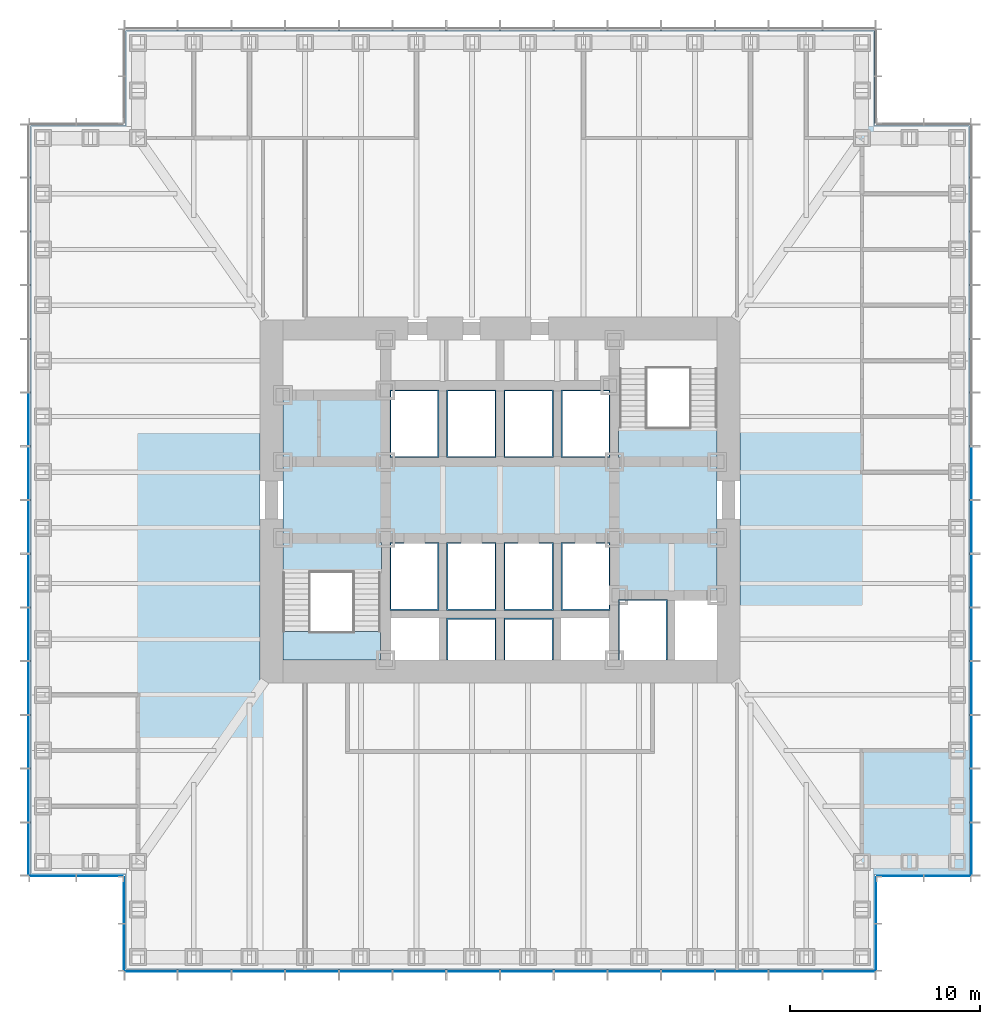
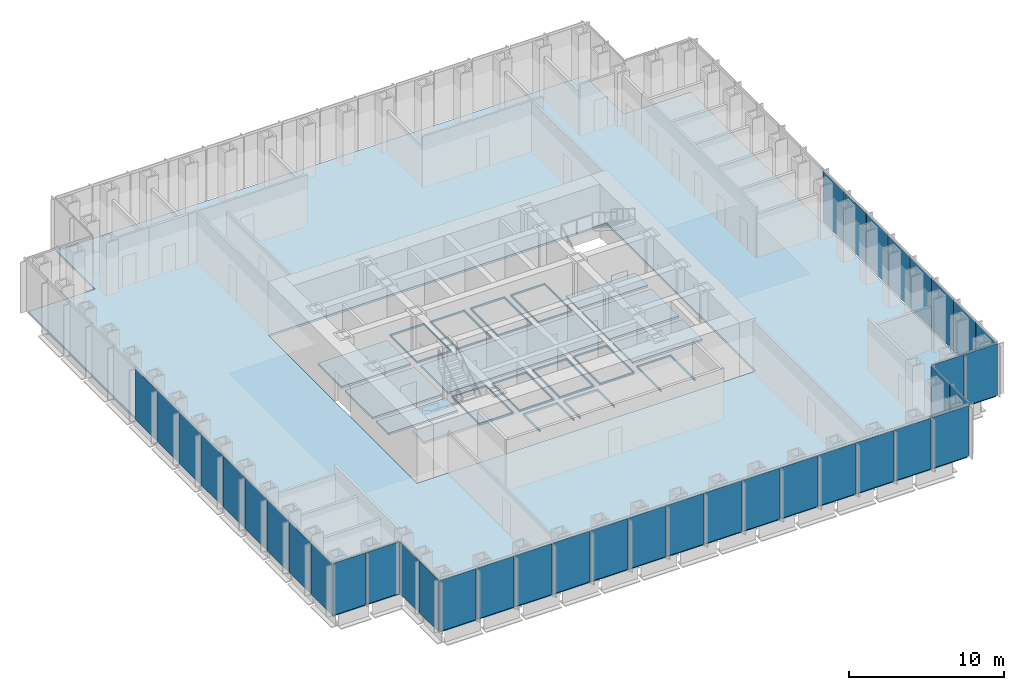
# One storey, part 7 of 17: 39 plates, 20 slabs, 8 elements without a shape of their own.
"""IFC4 building model written with IfcOpenShell, lengths in metres."""

from ifc_helpers import new_model, si_unit, direction, frame, origin, origin_2d, place, context, subcontext, project, spatial, polyline, rectangle, outline, extrude, material, layer, layer_set, type_object, element, aggregate, save


model = new_model("IFC4")

# Units and contexts
model_context = context("Model", 3, precision=1e-05, world=origin(), true_north=direction((0.0, 1.0)))
body_context = subcontext(model_context, "Body", "Model", "MODEL_VIEW")
ifc_project = project(units=[si_unit("LENGTHUNIT", "METRE"), si_unit("AREAUNIT", "SQUARE_METRE"), si_unit("VOLUMEUNIT", "CUBIC_METRE"), si_unit("PLANEANGLEUNIT", "RADIAN"), si_unit("MASSUNIT", "GRAM", prefix="KILO")], contexts=[model_context])

# Site, building, storey
site_placement = place(None, origin())
site = spatial("IfcSite", under=ifc_project, at=site_placement, CompositionType="ELEMENT")
building_placement = place(site_placement, origin())
building = spatial("IfcBuilding", under=site, at=building_placement, Name="Daluyong Arena Tower", CompositionType="ELEMENT")
storey_placement = place(building_placement, frame((0.0, 0.0, 55.89990234375)))
storey = spatial("IfcBuildingStorey", under=building, at=storey_placement, Name="L11", CompositionType="ELEMENT", Elevation=55.89990234375)

# Curtain wall, plates
ifc_material_1 = material(Name="Bronze anodised aluminium and glass", Category="aluminium")
curtain_wall_type_1 = type_object("IfcCurtainWallType", Name="Curtain wall CW1", PredefinedType="USERDEFINED", material=ifc_material_1)
curtain_wall_1_placement = place(storey_placement, origin())
curtain_wall_1 = element("IfcCurtainWall", 1, at=curtain_wall_1_placement, inside=storey, type_object=curtain_wall_type_1, Name="curtain wall L11 S", ObjectType="UNITISED CURTAIN WALL", PredefinedType="USERDEFINED")
ifc_material_2 = material(Name="Tinted double glazed unit", Category="glass")
ifc_layer_1 = layer(ifc_material_2, 0.031982421875)
ifc_layer_set_1 = layer_set([ifc_layer_1], Name="Tinted double glazed unit")
plate_type_1 = type_object("IfcPlateType", Name="CW1 panel 32", PredefinedType="CURTAIN_PANEL", material=ifc_layer_set_1)
plate_1_placement = place(storey_placement, frame((37.6806640625, 55.25, 0.0), z_axis=(0.0, 0.0, 1.0), x_axis=(1.0, 0.0, 0.0)))
plate_1 = element("IfcPlate", 2, at=plate_1_placement, type_object=plate_type_1, Name="curtain wall L11 S panel 1", PredefinedType="CURTAIN_PANEL", context=body_context, shape_type="SweptSolid", body=[
    extrude(rectangle(XDim=2.701416015625, YDim=0.031982421875, at=origin_2d()), origin(), (0.0, 0.0, 1.0), 4.0),
])
plate_2_placement = place(storey_placement, frame((40.482177734375, 55.25, 0.0), z_axis=(0.0, 0.0, 1.0), x_axis=(1.0, 0.0, 0.0)))
plate_2 = element("IfcPlate", 3, at=plate_2_placement, type_object=plate_type_1, Name="curtain wall L11 S panel 2", PredefinedType="CURTAIN_PANEL", context=body_context, shape_type="SweptSolid", body=[
    extrude(rectangle(XDim=2.741455078125, YDim=0.031982421875, at=origin_2d()), origin(), (0.0, 0.0, 1.0), 4.0),
])
plate_3_placement = place(storey_placement, frame((43.303466796875, 55.25, 0.0), z_axis=(0.0, 0.0, 1.0), x_axis=(1.0, 0.0, 0.0)))
plate_3 = element("IfcPlate", 4, at=plate_3_placement, type_object=plate_type_1, Name="curtain wall L11 S panel 3", PredefinedType="CURTAIN_PANEL", context=body_context, shape_type="SweptSolid", body=[
    extrude(rectangle(XDim=2.741455078125, YDim=0.031982421875, at=origin_2d()), origin(), (0.0, 0.0, 1.0), 4.0),
])
plate_4_placement = place(storey_placement, frame((46.125, 55.25, 0.0), z_axis=(0.0, 0.0, 1.0), x_axis=(1.0, 0.0, 0.0)))
plate_4 = element("IfcPlate", 5, at=plate_4_placement, type_object=plate_type_1, Name="curtain wall L11 S panel 4", PredefinedType="CURTAIN_PANEL", context=body_context, shape_type="SweptSolid", body=[
    extrude(rectangle(XDim=2.741455078125, YDim=0.031982421875, at=origin_2d()), origin(), (0.0, 0.0, 1.0), 4.0),
])
plate_5_placement = place(storey_placement, frame((48.946533203125, 55.25, 0.0), z_axis=(0.0, 0.0, 1.0), x_axis=(1.0, 0.0, 0.0)))
plate_5 = element("IfcPlate", 6, at=plate_5_placement, type_object=plate_type_1, Name="curtain wall L11 S panel 5", PredefinedType="CURTAIN_PANEL", context=body_context, shape_type="SweptSolid", body=[
    extrude(rectangle(XDim=2.741455078125, YDim=0.031982421875, at=origin_2d()), origin(), (0.0, 0.0, 1.0), 4.0),
])
plate_6_placement = place(storey_placement, frame((51.767822265625, 55.25, 0.0), z_axis=(0.0, 0.0, 1.0), x_axis=(1.0, 0.0, 0.0)))
plate_6 = element("IfcPlate", 7, at=plate_6_placement, type_object=plate_type_1, Name="curtain wall L11 S panel 6", PredefinedType="CURTAIN_PANEL", context=body_context, shape_type="SweptSolid", body=[
    extrude(rectangle(XDim=2.741455078125, YDim=0.031982421875, at=origin_2d()), origin(), (0.0, 0.0, 1.0), 4.0),
])
plate_7_placement = place(storey_placement, frame((54.58935546875, 55.25, 0.0), z_axis=(0.0, 0.0, 1.0), x_axis=(1.0, 0.0, 0.0)))
plate_7 = element("IfcPlate", 8, at=plate_7_placement, type_object=plate_type_1, Name="curtain wall L11 S panel 7", PredefinedType="CURTAIN_PANEL", context=body_context, shape_type="SweptSolid", body=[
    extrude(rectangle(XDim=2.741455078125, YDim=0.031982421875, at=origin_2d()), origin(), (0.0, 0.0, 1.0), 4.0),
])
plate_8_placement = place(storey_placement, frame((57.41064453125, 55.25, 0.0), z_axis=(0.0, 0.0, 1.0), x_axis=(1.0, 0.0, 0.0)))
plate_8 = element("IfcPlate", 9, at=plate_8_placement, type_object=plate_type_1, Name="curtain wall L11 S panel 8", PredefinedType="CURTAIN_PANEL", context=body_context, shape_type="SweptSolid", body=[
    extrude(rectangle(XDim=2.741455078125, YDim=0.031982421875, at=origin_2d()), origin(), (0.0, 0.0, 1.0), 4.0),
])
plate_9_placement = place(storey_placement, frame((60.232177734375, 55.25, 0.0), z_axis=(0.0, 0.0, 1.0), x_axis=(1.0, 0.0, 0.0)))
plate_9 = element("IfcPlate", 10, at=plate_9_placement, type_object=plate_type_1, Name="curtain wall L11 S panel 9", PredefinedType="CURTAIN_PANEL", context=body_context, shape_type="SweptSolid", body=[
    extrude(rectangle(XDim=2.741455078125, YDim=0.031982421875, at=origin_2d()), origin(), (0.0, 0.0, 1.0), 4.0),
])
plate_10_placement = place(storey_placement, frame((63.053466796875, 55.25, 0.0), z_axis=(0.0, 0.0, 1.0), x_axis=(1.0, 0.0, 0.0)))
plate_10 = element("IfcPlate", 11, at=plate_10_placement, type_object=plate_type_1, Name="curtain wall L11 S panel 10", PredefinedType="CURTAIN_PANEL", context=body_context, shape_type="SweptSolid", body=[
    extrude(rectangle(XDim=2.741455078125, YDim=0.031982421875, at=origin_2d()), origin(), (0.0, 0.0, 1.0), 4.0),
])
plate_11_placement = place(storey_placement, frame((65.875, 55.25, 0.0), z_axis=(0.0, 0.0, 1.0), x_axis=(1.0, 0.0, 0.0)))
plate_11 = element("IfcPlate", 12, at=plate_11_placement, type_object=plate_type_1, Name="curtain wall L11 S panel 11", PredefinedType="CURTAIN_PANEL", context=body_context, shape_type="SweptSolid", body=[
    extrude(rectangle(XDim=2.741455078125, YDim=0.031982421875, at=origin_2d()), origin(), (0.0, 0.0, 1.0), 4.0),
])
plate_12_placement = place(storey_placement, frame((68.696533203125, 55.25, 0.0), z_axis=(0.0, 0.0, 1.0), x_axis=(1.0, 0.0, 0.0)))
plate_12 = element("IfcPlate", 13, at=plate_12_placement, type_object=plate_type_1, Name="curtain wall L11 S panel 12", PredefinedType="CURTAIN_PANEL", context=body_context, shape_type="SweptSolid", body=[
    extrude(rectangle(XDim=2.741455078125, YDim=0.031982421875, at=origin_2d()), origin(), (0.0, 0.0, 1.0), 4.0),
])
plate_13_placement = place(storey_placement, frame((71.517822265625, 55.25, 0.0), z_axis=(0.0, 0.0, 1.0), x_axis=(1.0, 0.0, 0.0)))
plate_13 = element("IfcPlate", 14, at=plate_13_placement, type_object=plate_type_1, Name="curtain wall L11 S panel 13", PredefinedType="CURTAIN_PANEL", context=body_context, shape_type="SweptSolid", body=[
    extrude(rectangle(XDim=2.741455078125, YDim=0.031982421875, at=origin_2d()), origin(), (0.0, 0.0, 1.0), 4.0),
])
plate_14_placement = place(storey_placement, frame((74.3193359375, 55.25, 0.0), z_axis=(0.0, 0.0, 1.0), x_axis=(1.0, 0.0, 0.0)))
plate_14 = element("IfcPlate", 15, at=plate_14_placement, type_object=plate_type_1, Name="curtain wall L11 S panel 14", PredefinedType="CURTAIN_PANEL", context=body_context, shape_type="SweptSolid", body=[
    extrude(rectangle(XDim=2.701416015625, YDim=0.031982421875, at=origin_2d()), origin(), (0.0, 0.0, 1.0), 4.0),
])
aggregate(curtain_wall_1, [plate_1, plate_2, plate_3, plate_4, plate_5, plate_6, plate_7, plate_8, plate_9, plate_10, plate_11, plate_12, plate_13, plate_14])

curtain_wall_2_placement = place(storey_placement, origin())
curtain_wall_2 = element("IfcCurtainWall", 16, at=curtain_wall_2_placement, inside=storey, type_object=curtain_wall_type_1, Name="curtain wall L11 E", ObjectType="UNITISED CURTAIN WALL", PredefinedType="USERDEFINED")
plate_15_placement = place(storey_placement, frame((80.75, 61.6806640625, 0.0), z_axis=(0.0, 0.0, 1.0), x_axis=(0.0, 1.0, 0.0)))
plate_15 = element("IfcPlate", 17, at=plate_15_placement, type_object=plate_type_1, Name="curtain wall L11 E panel 1", PredefinedType="CURTAIN_PANEL", context=body_context, shape_type="SweptSolid", body=[
    extrude(rectangle(XDim=2.701416015625, YDim=0.031982421875, at=origin_2d()), origin(), (0.0, 0.0, 1.0), 4.0),
])
plate_16_placement = place(storey_placement, frame((80.75, 64.482177734375, 0.0), z_axis=(0.0, 0.0, 1.0), x_axis=(0.0, 1.0, 0.0)))
plate_16 = element("IfcPlate", 18, at=plate_16_placement, type_object=plate_type_1, Name="curtain wall L11 E panel 2", PredefinedType="CURTAIN_PANEL", context=body_context, shape_type="SweptSolid", body=[
    extrude(rectangle(XDim=2.741455078125, YDim=0.031982421875, at=origin_2d()), origin(), (0.0, 0.0, 1.0), 4.0),
])
plate_17_placement = place(storey_placement, frame((80.75, 67.303466796875, 0.0), z_axis=(0.0, 0.0, 1.0), x_axis=(0.0, 1.0, 0.0)))
plate_17 = element("IfcPlate", 19, at=plate_17_placement, type_object=plate_type_1, Name="curtain wall L11 E panel 3", PredefinedType="CURTAIN_PANEL", context=body_context, shape_type="SweptSolid", body=[
    extrude(rectangle(XDim=2.741455078125, YDim=0.031982421875, at=origin_2d()), origin(), (0.0, 0.0, 1.0), 4.0),
])
plate_18_placement = place(storey_placement, frame((80.75, 70.125, 0.0), z_axis=(0.0, 0.0, 1.0), x_axis=(0.0, 1.0, 0.0)))
plate_18 = element("IfcPlate", 20, at=plate_18_placement, type_object=plate_type_1, Name="curtain wall L11 E panel 4", PredefinedType="CURTAIN_PANEL", context=body_context, shape_type="SweptSolid", body=[
    extrude(rectangle(XDim=2.741455078125, YDim=0.031982421875, at=origin_2d()), origin(), (0.0, 0.0, 1.0), 4.0),
])
plate_19_placement = place(storey_placement, frame((80.75, 72.946533203125, 0.0), z_axis=(0.0, 0.0, 1.0), x_axis=(0.0, 1.0, 0.0)))
plate_19 = element("IfcPlate", 21, at=plate_19_placement, type_object=plate_type_1, Name="curtain wall L11 E panel 5", PredefinedType="CURTAIN_PANEL", context=body_context, shape_type="SweptSolid", body=[
    extrude(rectangle(XDim=2.741455078125, YDim=0.031982421875, at=origin_2d()), origin(), (0.0, 0.0, 1.0), 4.0),
])
plate_20_placement = place(storey_placement, frame((80.75, 75.767822265625, 0.0), z_axis=(0.0, 0.0, 1.0), x_axis=(0.0, 1.0, 0.0)))
plate_20 = element("IfcPlate", 22, at=plate_20_placement, type_object=plate_type_1, Name="curtain wall L11 E panel 6", PredefinedType="CURTAIN_PANEL", context=body_context, shape_type="SweptSolid", body=[
    extrude(rectangle(XDim=2.741455078125, YDim=0.031982421875, at=origin_2d()), origin(), (0.0, 0.0, 1.0), 4.0),
])
plate_21_placement = place(storey_placement, frame((80.75, 78.58935546875, 0.0), z_axis=(0.0, 0.0, 1.0), x_axis=(0.0, 1.0, 0.0)))
plate_21 = element("IfcPlate", 23, at=plate_21_placement, type_object=plate_type_1, Name="curtain wall L11 E panel 7", PredefinedType="CURTAIN_PANEL", context=body_context, shape_type="SweptSolid", body=[
    extrude(rectangle(XDim=2.741455078125, YDim=0.031982421875, at=origin_2d()), origin(), (0.0, 0.0, 1.0), 4.0),
])
plate_22_placement = place(storey_placement, frame((80.75, 81.41064453125, 0.0), z_axis=(0.0, 0.0, 1.0), x_axis=(0.0, 1.0, 0.0)))
plate_22 = element("IfcPlate", 24, at=plate_22_placement, type_object=plate_type_1, Name="curtain wall L11 E panel 8", PredefinedType="CURTAIN_PANEL", context=body_context, shape_type="SweptSolid", body=[
    extrude(rectangle(XDim=2.741455078125, YDim=0.031982421875, at=origin_2d()), origin(), (0.0, 0.0, 1.0), 4.0),
])
aggregate(curtain_wall_2, [plate_15, plate_16, plate_17, plate_18, plate_19, plate_20, plate_21, plate_22])

curtain_wall_3_placement = place(storey_placement, origin())
curtain_wall_3 = element("IfcCurtainWall", 25, at=curtain_wall_3_placement, inside=storey, type_object=curtain_wall_type_1, Name="curtain wall L11 W", ObjectType="UNITISED CURTAIN WALL", PredefinedType="USERDEFINED")
plate_23_placement = place(storey_placement, frame((31.25, 84.232177734375, 0.0), z_axis=(0.0, 0.0, 1.0), x_axis=(0.0, -1.0, 0.0)))
plate_23 = element("IfcPlate", 26, at=plate_23_placement, type_object=plate_type_1, Name="curtain wall L11 W panel 6", PredefinedType="CURTAIN_PANEL", context=body_context, shape_type="SweptSolid", body=[
    extrude(rectangle(XDim=2.741455078125, YDim=0.031982421875, at=origin_2d()), origin(), (0.0, 0.0, 1.0), 4.0),
])
plate_24_placement = place(storey_placement, frame((31.25, 81.41064453125, 0.0), z_axis=(0.0, 0.0, 1.0), x_axis=(0.0, -1.0, 0.0)))
plate_24 = element("IfcPlate", 27, at=plate_24_placement, type_object=plate_type_1, Name="curtain wall L11 W panel 7", PredefinedType="CURTAIN_PANEL", context=body_context, shape_type="SweptSolid", body=[
    extrude(rectangle(XDim=2.741455078125, YDim=0.031982421875, at=origin_2d()), origin(), (0.0, 0.0, 1.0), 4.0),
])
plate_25_placement = place(storey_placement, frame((31.25, 78.58935546875, 0.0), z_axis=(0.0, 0.0, 1.0), x_axis=(0.0, -1.0, 0.0)))
plate_25 = element("IfcPlate", 28, at=plate_25_placement, type_object=plate_type_1, Name="curtain wall L11 W panel 8", PredefinedType="CURTAIN_PANEL", context=body_context, shape_type="SweptSolid", body=[
    extrude(rectangle(XDim=2.741455078125, YDim=0.031982421875, at=origin_2d()), origin(), (0.0, 0.0, 1.0), 4.0),
])
plate_26_placement = place(storey_placement, frame((31.25, 75.767822265625, 0.0), z_axis=(0.0, 0.0, 1.0), x_axis=(0.0, -1.0, 0.0)))
plate_26 = element("IfcPlate", 29, at=plate_26_placement, type_object=plate_type_1, Name="curtain wall L11 W panel 9", PredefinedType="CURTAIN_PANEL", context=body_context, shape_type="SweptSolid", body=[
    extrude(rectangle(XDim=2.741455078125, YDim=0.031982421875, at=origin_2d()), origin(), (0.0, 0.0, 1.0), 4.0),
])
plate_27_placement = place(storey_placement, frame((31.25, 72.946533203125, 0.0), z_axis=(0.0, 0.0, 1.0), x_axis=(0.0, -1.0, 0.0)))
plate_27 = element("IfcPlate", 30, at=plate_27_placement, type_object=plate_type_1, Name="curtain wall L11 W panel 10", PredefinedType="CURTAIN_PANEL", context=body_context, shape_type="SweptSolid", body=[
    extrude(rectangle(XDim=2.741455078125, YDim=0.031982421875, at=origin_2d()), origin(), (0.0, 0.0, 1.0), 4.0),
])
plate_28_placement = place(storey_placement, frame((31.25, 70.125, 0.0), z_axis=(0.0, 0.0, 1.0), x_axis=(0.0, -1.0, 0.0)))
plate_28 = element("IfcPlate", 31, at=plate_28_placement, type_object=plate_type_1, Name="curtain wall L11 W panel 11", PredefinedType="CURTAIN_PANEL", context=body_context, shape_type="SweptSolid", body=[
    extrude(rectangle(XDim=2.741455078125, YDim=0.031982421875, at=origin_2d()), origin(), (0.0, 0.0, 1.0), 4.0),
])
plate_29_placement = place(storey_placement, frame((31.25, 67.303466796875, 0.0), z_axis=(0.0, 0.0, 1.0), x_axis=(0.0, -1.0, 0.0)))
plate_29 = element("IfcPlate", 32, at=plate_29_placement, type_object=plate_type_1, Name="curtain wall L11 W panel 12", PredefinedType="CURTAIN_PANEL", context=body_context, shape_type="SweptSolid", body=[
    extrude(rectangle(XDim=2.741455078125, YDim=0.031982421875, at=origin_2d()), origin(), (0.0, 0.0, 1.0), 4.0),
])
plate_30_placement = place(storey_placement, frame((31.25, 64.482177734375, 0.0), z_axis=(0.0, 0.0, 1.0), x_axis=(0.0, -1.0, 0.0)))
plate_30 = element("IfcPlate", 33, at=plate_30_placement, type_object=plate_type_1, Name="curtain wall L11 W panel 13", PredefinedType="CURTAIN_PANEL", context=body_context, shape_type="SweptSolid", body=[
    extrude(rectangle(XDim=2.741455078125, YDim=0.031982421875, at=origin_2d()), origin(), (0.0, 0.0, 1.0), 4.0),
])
plate_31_placement = place(storey_placement, frame((31.25, 61.6806640625, 0.0), z_axis=(0.0, 0.0, 1.0), x_axis=(0.0, -1.0, 0.0)))
plate_31 = element("IfcPlate", 34, at=plate_31_placement, type_object=plate_type_1, Name="curtain wall L11 W panel 14", PredefinedType="CURTAIN_PANEL", context=body_context, shape_type="SweptSolid", body=[
    extrude(rectangle(XDim=2.701416015625, YDim=0.031982421875, at=origin_2d()), origin(), (0.0, 0.0, 1.0), 4.0),
])
aggregate(curtain_wall_3, [plate_23, plate_24, plate_25, plate_26, plate_27, plate_28, plate_29, plate_30, plate_31])

ifc_material_3 = material(Name="Bronze anodised aluminium and glass", Category="aluminium")
curtain_wall_type_2 = type_object("IfcCurtainWallType", Name="Curtain wall CW7", PredefinedType="USERDEFINED", material=ifc_material_3)
curtain_wall_4_placement = place(storey_placement, origin())
curtain_wall_4 = element("IfcCurtainWall", 35, at=curtain_wall_4_placement, inside=storey, type_object=curtain_wall_type_2, Name="curtain wall L11 SE-E", ObjectType="UNITISED CURTAIN WALL", PredefinedType="USERDEFINED")
ifc_material_4 = material(Name="Tinted double glazed unit", Category="glass")
ifc_layer_2 = layer(ifc_material_4, 0.028076171875)
ifc_layer_set_2 = layer_set([ifc_layer_2], Name="Tinted double glazed unit")
plate_type_2 = type_object("IfcPlateType", Name="CW7 panel 28", PredefinedType="CURTAIN_PANEL", material=ifc_layer_set_2)
plate_32_placement = place(storey_placement, frame((75.75, 56.514892578125, 0.0), z_axis=(0.0, 0.0, 1.0), x_axis=(0.0, 1.0, 0.0)))
plate_32 = element("IfcPlate", 36, at=plate_32_placement, type_object=plate_type_2, Name="curtain wall L11 SE-E panel 1", PredefinedType="CURTAIN_PANEL", context=body_context, shape_type="SweptSolid", body=[
    extrude(rectangle(XDim=2.409912109375, YDim=0.028076171875, at=origin_2d()), origin(), (0.0, 0.0, 1.0), 4.080078125),
])
plate_33_placement = place(storey_placement, frame((75.75, 58.985107421875, 0.0), z_axis=(0.0, 0.0, 1.0), x_axis=(0.0, 1.0, 0.0)))
plate_33 = element("IfcPlate", 37, at=plate_33_placement, type_object=plate_type_2, Name="curtain wall L11 SE-E panel 2", PredefinedType="CURTAIN_PANEL", context=body_context, shape_type="SweptSolid", body=[
    extrude(rectangle(XDim=2.409912109375, YDim=0.028076171875, at=origin_2d()), origin(), (0.0, 0.0, 1.0), 4.080078125),
])
aggregate(curtain_wall_4, [plate_32, plate_33])

curtain_wall_5_placement = place(storey_placement, origin())
curtain_wall_5 = element("IfcCurtainWall", 38, at=curtain_wall_5_placement, inside=storey, type_object=curtain_wall_type_2, Name="curtain wall L11 SE-S", ObjectType="UNITISED CURTAIN WALL", PredefinedType="USERDEFINED")
plate_34_placement = place(storey_placement, frame((77.014892578125, 60.25, 0.0), z_axis=(0.0, 0.0, 1.0), x_axis=(1.0, 0.0, 0.0)))
plate_34 = element("IfcPlate", 39, at=plate_34_placement, type_object=plate_type_2, Name="curtain wall L11 SE-S panel 1", PredefinedType="CURTAIN_PANEL", context=body_context, shape_type="SweptSolid", body=[
    extrude(rectangle(XDim=2.409912109375, YDim=0.028076171875, at=origin_2d()), origin(), (0.0, 0.0, 1.0), 4.080078125),
])
plate_35_placement = place(storey_placement, frame((79.485107421875, 60.25, 0.0), z_axis=(0.0, 0.0, 1.0), x_axis=(1.0, 0.0, 0.0)))
plate_35 = element("IfcPlate", 40, at=plate_35_placement, type_object=plate_type_2, Name="curtain wall L11 SE-S panel 2", PredefinedType="CURTAIN_PANEL", context=body_context, shape_type="SweptSolid", body=[
    extrude(rectangle(XDim=2.409912109375, YDim=0.028076171875, at=origin_2d()), origin(), (0.0, 0.0, 1.0), 4.080078125),
])
aggregate(curtain_wall_5, [plate_34, plate_35])

curtain_wall_6_placement = place(storey_placement, origin())
curtain_wall_6 = element("IfcCurtainWall", 41, at=curtain_wall_6_placement, inside=storey, type_object=curtain_wall_type_2, Name="curtain wall L11 SW-S", ObjectType="UNITISED CURTAIN WALL", PredefinedType="USERDEFINED")
plate_36_placement = place(storey_placement, frame((32.514892578125, 60.25, 0.0), z_axis=(0.0, 0.0, 1.0), x_axis=(1.0, 0.0, 0.0)))
plate_36 = element("IfcPlate", 42, at=plate_36_placement, type_object=plate_type_2, Name="curtain wall L11 SW-S panel 1", PredefinedType="CURTAIN_PANEL", context=body_context, shape_type="SweptSolid", body=[
    extrude(rectangle(XDim=2.409912109375, YDim=0.028076171875, at=origin_2d()), origin(), (0.0, 0.0, 1.0), 4.080078125),
])
plate_37_placement = place(storey_placement, frame((34.985107421875, 60.25, 0.0), z_axis=(0.0, 0.0, 1.0), x_axis=(1.0, 0.0, 0.0)))
plate_37 = element("IfcPlate", 43, at=plate_37_placement, type_object=plate_type_2, Name="curtain wall L11 SW-S panel 2", PredefinedType="CURTAIN_PANEL", context=body_context, shape_type="SweptSolid", body=[
    extrude(rectangle(XDim=2.409912109375, YDim=0.028076171875, at=origin_2d()), origin(), (0.0, 0.0, 1.0), 4.080078125),
])
aggregate(curtain_wall_6, [plate_36, plate_37])

curtain_wall_7_placement = place(storey_placement, origin())
curtain_wall_7 = element("IfcCurtainWall", 44, at=curtain_wall_7_placement, inside=storey, type_object=curtain_wall_type_2, Name="curtain wall L11 SW-W", ObjectType="UNITISED CURTAIN WALL", PredefinedType="USERDEFINED")
plate_38_placement = place(storey_placement, frame((36.25, 58.985107421875, 0.0), z_axis=(0.0, 0.0, 1.0), x_axis=(0.0, -1.0, 0.0)))
plate_38 = element("IfcPlate", 45, at=plate_38_placement, type_object=plate_type_2, Name="curtain wall L11 SW-W panel 1", PredefinedType="CURTAIN_PANEL", context=body_context, shape_type="SweptSolid", body=[
    extrude(rectangle(XDim=2.409912109375, YDim=0.028076171875, at=origin_2d()), origin(), (0.0, 0.0, 1.0), 4.080078125),
])
plate_39_placement = place(storey_placement, frame((36.25, 56.514892578125, 0.0), z_axis=(0.0, 0.0, 1.0), x_axis=(0.0, -1.0, 0.0)))
plate_39 = element("IfcPlate", 46, at=plate_39_placement, type_object=plate_type_2, Name="curtain wall L11 SW-W panel 2", PredefinedType="CURTAIN_PANEL", context=body_context, shape_type="SweptSolid", body=[
    extrude(rectangle(XDim=2.409912109375, YDim=0.028076171875, at=origin_2d()), origin(), (0.0, 0.0, 1.0), 4.080078125),
])
aggregate(curtain_wall_7, [plate_38, plate_39])

# Stair, slab
ifc_material_5 = material(Name="Concrete fc' 35 MPa", Category="concrete")
stair_type = type_object("IfcStairType", Name="Core exit stair", PredefinedType="HALF_TURN_STAIR", material=ifc_material_5)
stair_placement = place(storey_placement, origin())
stair = element("IfcStair", 47, at=stair_placement, inside=storey, type_object=stair_type, Name="exit stair A L11", PredefinedType="HALF_TURN_STAIR")
ifc_material_6 = material(Name="Concrete fc' 35 MPa", Category="concrete")
ifc_layer_3 = layer(ifc_material_6, 0.199951171875)
ifc_layer_set_3 = layer_set([ifc_layer_3], Name="Concrete fc' 35 MPa")
slab_type_1 = type_object("IfcSlabType", Name="Stair landing 200", PredefinedType="LANDING", material=ifc_layer_set_3)
slab_1_placement = place(storey_placement, frame((0.0, 0.0, 1.900146484375)))
slab_1 = element("IfcSlab", 48, at=slab_1_placement, type_object=slab_type_1, Name="STA landing 1", PredefinedType="LANDING", context=body_context, shape_type="SweptSolid", body=[
    extrude(outline(polyline([(44.60009765625, 71.60009765625), (49.72509765625, 71.60009765625), (49.72509765625, 73.094970703125), (44.60009765625, 73.094970703125), (44.60009765625, 71.60009765625)])), origin(), (0.0, 0.0, 1.0), 0.199951171875),
])
aggregate(stair, [slab_1])

# Slabs
ifc_material_7 = material(Name="Concrete fc' 35 MPa", Category="concrete")
ifc_layer_4 = layer(ifc_material_7, 0.159912109375)
ifc_layer_set_4 = layer_set([ifc_layer_4], Name="Concrete fc' 35 MPa")
slab_type_2 = type_object("IfcSlabType", Name="Tower floor slab 160", PredefinedType="FLOOR", material=ifc_layer_set_4)
slab_2_placement = place(storey_placement, frame((0.0, 0.0, -0.159912109375)))
element("IfcSlab", 49, at=slab_2_placement, inside=storey, type_object=slab_type_2, Name="floor L11 part 1", PredefinedType="FLOOR", context=body_context, shape_type="SweptSolid", body=[
    extrude(outline(polyline([(49.77490234375, 76.175048828125), (49.77490234375, 77.77490234375), (44.60009765625, 77.77490234375), (44.60009765625, 76.175048828125), (49.77490234375, 76.175048828125)])), origin(), (0.0, 0.0, 1.0), 0.159912109375),
])
slab_3_placement = place(storey_placement, frame((0.0, 0.0, -0.159912109375)))
element("IfcSlab", 50, at=slab_3_placement, inside=storey, type_object=slab_type_2, Name="floor L11 part 2", PredefinedType="FLOOR", context=body_context, shape_type="SweptSolid", body=[
    extrude(outline(polyline([(49.77490234375, 78.22509765625), (49.77490234375, 81.77490234375), (44.60009765625, 81.77490234375), (44.60009765625, 78.22509765625), (49.77490234375, 78.22509765625)])), origin(), (0.0, 0.0, 1.0), 0.159912109375),
])
slab_4_placement = place(storey_placement, frame((0.0, 0.0, -0.159912109375)))
element("IfcSlab", 51, at=slab_4_placement, inside=storey, type_object=slab_type_2, Name="floor L11 part 3", PredefinedType="FLOOR", context=body_context, shape_type="SweptSolid", body=[
    extrude(outline(polyline([(49.77490234375, 82.22509765625), (49.77490234375, 85.27490234375), (44.60009765625, 85.27490234375), (44.60009765625, 82.22509765625), (49.77490234375, 82.22509765625)])), origin(), (0.0, 0.0, 1.0), 0.159912109375),
])
slab_5_placement = place(storey_placement, frame((0.0, 0.0, -0.159912109375)))
element("IfcSlab", 52, at=slab_5_placement, inside=storey, type_object=slab_type_2, Name="floor L11 part 5", PredefinedType="FLOOR", context=body_context, shape_type="SweptSolid", body=[
    extrude(outline(polyline([(50.22509765625, 77.77490234375), (50.22509765625, 74.199951171875), (52.800048828125, 74.199951171875), (52.800048828125, 77.77490234375), (50.22509765625, 77.77490234375)]), holes=[polyline([(52.72509765625, 77.72509765625), (52.72509765625, 74.27490234375), (50.27490234375, 74.27490234375), (50.27490234375, 77.72509765625), (52.72509765625, 77.72509765625)])]), origin(), (0.0, 0.0, 1.0), 0.159912109375),
])
slab_6_placement = place(storey_placement, frame((0.0, 0.0, -0.159912109375)))
element("IfcSlab", 53, at=slab_6_placement, inside=storey, type_object=slab_type_2, Name="floor L11 part 6", PredefinedType="FLOOR", context=body_context, shape_type="SweptSolid", body=[
    extrude(outline(polyline([(50.22509765625, 85.77490234375), (50.22509765625, 82.22509765625), (52.800048828125, 82.22509765625), (52.800048828125, 85.77490234375), (50.22509765625, 85.77490234375)]), holes=[polyline([(52.72509765625, 85.72509765625), (52.72509765625, 82.27490234375), (50.27490234375, 82.27490234375), (50.27490234375, 85.72509765625), (52.72509765625, 85.72509765625)])]), origin(), (0.0, 0.0, 1.0), 0.159912109375),
])
slab_7_placement = place(storey_placement, frame((0.0, 0.0, -0.159912109375)))
element("IfcSlab", 54, at=slab_7_placement, inside=storey, type_object=slab_type_2, Name="floor L11 part 8", PredefinedType="FLOOR", context=body_context, shape_type="SweptSolid", body=[
    extrude(outline(polyline([(55.72509765625, 73.72509765625), (55.72509765625, 71.60009765625), (55.800048828125, 71.60009765625), (55.800048828125, 73.800048828125), (53.199951171875, 73.800048828125), (53.199951171875, 71.60009765625), (53.27490234375, 71.60009765625), (53.27490234375, 73.72509765625), (55.72509765625, 73.72509765625)])), origin(), (0.0, 0.0, 1.0), 0.159912109375),
])
slab_8_placement = place(storey_placement, frame((0.0, 0.0, -0.159912109375)))
element("IfcSlab", 55, at=slab_8_placement, inside=storey, type_object=slab_type_2, Name="floor L11 part 9", PredefinedType="FLOOR", context=body_context, shape_type="SweptSolid", body=[
    extrude(outline(polyline([(53.199951171875, 77.77490234375), (53.199951171875, 74.199951171875), (55.800048828125, 74.199951171875), (55.800048828125, 77.77490234375), (53.199951171875, 77.77490234375)]), holes=[polyline([(55.72509765625, 77.72509765625), (55.72509765625, 74.27490234375), (53.27490234375, 74.27490234375), (53.27490234375, 77.72509765625), (55.72509765625, 77.72509765625)])]), origin(), (0.0, 0.0, 1.0), 0.159912109375),
])
slab_9_placement = place(storey_placement, frame((0.0, 0.0, -0.159912109375)))
element("IfcSlab", 56, at=slab_9_placement, inside=storey, type_object=slab_type_2, Name="floor L11 part 10", PredefinedType="FLOOR", context=body_context, shape_type="SweptSolid", body=[
    extrude(outline(polyline([(53.199951171875, 85.77490234375), (53.199951171875, 82.22509765625), (55.800048828125, 82.22509765625), (55.800048828125, 85.77490234375), (53.199951171875, 85.77490234375)]), holes=[polyline([(55.72509765625, 85.72509765625), (55.72509765625, 82.27490234375), (53.27490234375, 82.27490234375), (53.27490234375, 85.72509765625), (55.72509765625, 85.72509765625)])]), origin(), (0.0, 0.0, 1.0), 0.159912109375),
])
slab_10_placement = place(storey_placement, frame((0.0, 0.0, -0.159912109375)))
element("IfcSlab", 57, at=slab_10_placement, inside=storey, type_object=slab_type_2, Name="floor L11 part 11", PredefinedType="FLOOR", context=body_context, shape_type="SweptSolid", body=[
    extrude(outline(polyline([(36.35009765625, 60.35009765625), (36.35009765625, 55.35009765625), (75.64990234375, 55.35009765625), (75.64990234375, 60.35009765625), (80.64990234375, 60.35009765625), (80.64990234375, 99.64990234375), (75.64990234375, 99.64990234375), (75.64990234375, 104.64990234375), (36.35009765625, 104.64990234375), (36.35009765625, 99.64990234375), (31.35009765625, 99.64990234375), (31.35009765625, 60.35009765625), (36.35009765625, 60.35009765625)]), holes=[polyline([(68.60009765625, 89.60009765625), (68.60009765625, 70.39990234375), (43.39990234375, 70.39990234375), (43.39990234375, 89.60009765625), (68.60009765625, 89.60009765625)])]), origin(), (0.0, 0.0, 1.0), 0.159912109375),
])
slab_11_placement = place(storey_placement, frame((0.0, 0.0, -0.159912109375)))
element("IfcSlab", 58, at=slab_11_placement, inside=storey, type_object=slab_type_2, Name="floor L11 part 12", PredefinedType="FLOOR", context=body_context, shape_type="SweptSolid", body=[
    extrude(outline(polyline([(61.77490234375, 81.77490234375), (50.22509765625, 81.77490234375), (50.22509765625, 78.22509765625), (61.77490234375, 78.22509765625), (61.77490234375, 81.77490234375)])), origin(), (0.0, 0.0, 1.0), 0.159912109375),
])
slab_12_placement = place(storey_placement, frame((0.0, 0.0, -0.159912109375)))
element("IfcSlab", 59, at=slab_12_placement, inside=storey, type_object=slab_type_2, Name="floor L11 part 13", PredefinedType="FLOOR", context=body_context, shape_type="SweptSolid", body=[
    extrude(outline(polyline([(58.72509765625, 73.72509765625), (58.72509765625, 71.60009765625), (58.800048828125, 71.60009765625), (58.800048828125, 73.800048828125), (56.199951171875, 73.800048828125), (56.199951171875, 71.60009765625), (56.27490234375, 71.60009765625), (56.27490234375, 73.72509765625), (58.72509765625, 73.72509765625)])), origin(), (0.0, 0.0, 1.0), 0.159912109375),
])
slab_13_placement = place(storey_placement, frame((0.0, 0.0, -0.159912109375)))
element("IfcSlab", 60, at=slab_13_placement, inside=storey, type_object=slab_type_2, Name="floor L11 part 14", PredefinedType="FLOOR", context=body_context, shape_type="SweptSolid", body=[
    extrude(outline(polyline([(56.199951171875, 77.77490234375), (56.199951171875, 74.199951171875), (58.800048828125, 74.199951171875), (58.800048828125, 77.77490234375), (56.199951171875, 77.77490234375)]), holes=[polyline([(58.72509765625, 77.72509765625), (58.72509765625, 74.27490234375), (56.27490234375, 74.27490234375), (56.27490234375, 77.72509765625), (58.72509765625, 77.72509765625)])]), origin(), (0.0, 0.0, 1.0), 0.159912109375),
])
slab_14_placement = place(storey_placement, frame((0.0, 0.0, -0.159912109375)))
element("IfcSlab", 61, at=slab_14_placement, inside=storey, type_object=slab_type_2, Name="floor L11 part 15", PredefinedType="FLOOR", context=body_context, shape_type="SweptSolid", body=[
    extrude(outline(polyline([(56.199951171875, 85.77490234375), (56.199951171875, 82.22509765625), (58.800048828125, 82.22509765625), (58.800048828125, 85.77490234375), (56.199951171875, 85.77490234375)]), holes=[polyline([(58.72509765625, 85.72509765625), (58.72509765625, 82.27490234375), (56.27490234375, 82.27490234375), (56.27490234375, 85.72509765625), (58.72509765625, 85.72509765625)])]), origin(), (0.0, 0.0, 1.0), 0.159912109375),
])
slab_15_placement = place(storey_placement, frame((0.0, 0.0, -0.159912109375)))
element("IfcSlab", 62, at=slab_15_placement, inside=storey, type_object=slab_type_2, Name="floor L11 part 17", PredefinedType="FLOOR", context=body_context, shape_type="SweptSolid", body=[
    extrude(outline(polyline([(59.199951171875, 82.22509765625), (61.77490234375, 82.22509765625), (61.77490234375, 85.77490234375), (59.199951171875, 85.77490234375), (59.199951171875, 82.22509765625)]), holes=[polyline([(61.72509765625, 82.27490234375), (59.27490234375, 82.27490234375), (59.27490234375, 85.72509765625), (61.72509765625, 85.72509765625), (61.72509765625, 82.27490234375)])]), origin(), (0.0, 0.0, 1.0), 0.159912109375),
])
slab_16_placement = place(storey_placement, frame((0.0, 0.0, -0.159912109375)))
element("IfcSlab", 63, at=slab_16_placement, inside=storey, type_object=slab_type_2, Name="floor L11 part 18", PredefinedType="FLOOR", context=body_context, shape_type="SweptSolid", body=[
    extrude(outline(polyline([(59.199951171875, 74.199951171875), (61.77490234375, 74.199951171875), (61.77490234375, 77.77490234375), (59.199951171875, 77.77490234375), (59.199951171875, 74.199951171875)]), holes=[polyline([(61.72509765625, 77.72509765625), (61.72509765625, 74.27490234375), (59.27490234375, 74.27490234375), (59.27490234375, 77.72509765625), (61.72509765625, 77.72509765625)])]), origin(), (0.0, 0.0, 1.0), 0.159912109375),
])
slab_17_placement = place(storey_placement, frame((0.0, 0.0, -0.159912109375)))
element("IfcSlab", 64, at=slab_17_placement, inside=storey, type_object=slab_type_2, Name="floor L11 part 19", PredefinedType="FLOOR", context=body_context, shape_type="SweptSolid", body=[
    extrude(outline(polyline([(64.800048828125, 71.60009765625), (64.800048828125, 74.77490234375), (62.22509765625, 74.77490234375), (62.22509765625, 71.60009765625), (62.27490234375, 71.60009765625), (62.27490234375, 74.72509765625), (64.72509765625, 74.72509765625), (64.72509765625, 71.60009765625), (64.800048828125, 71.60009765625)])), origin(), (0.0, 0.0, 1.0), 0.159912109375),
])
slab_18_placement = place(storey_placement, frame((0.0, 0.0, -0.159912109375)))
element("IfcSlab", 65, at=slab_18_placement, inside=storey, type_object=slab_type_2, Name="floor L11 part 20", PredefinedType="FLOOR", context=body_context, shape_type="SweptSolid", body=[
    extrude(outline(polyline([(67.39990234375, 75.22509765625), (67.39990234375, 77.77490234375), (62.22509765625, 77.77490234375), (62.22509765625, 75.22509765625), (67.39990234375, 75.22509765625)])), origin(), (0.0, 0.0, 1.0), 0.159912109375),
])
slab_19_placement = place(storey_placement, frame((0.0, 0.0, -0.159912109375)))
element("IfcSlab", 66, at=slab_19_placement, inside=storey, type_object=slab_type_2, Name="floor L11 part 21", PredefinedType="FLOOR", context=body_context, shape_type="SweptSolid", body=[
    extrude(outline(polyline([(67.39990234375, 78.22509765625), (67.39990234375, 81.77490234375), (62.22509765625, 81.77490234375), (62.22509765625, 78.22509765625), (67.39990234375, 78.22509765625)])), origin(), (0.0, 0.0, 1.0), 0.159912109375),
])
slab_20_placement = place(storey_placement, frame((0.0, 0.0, -0.159912109375)))
element("IfcSlab", 67, at=slab_20_placement, inside=storey, type_object=slab_type_2, Name="floor L11 part 22", PredefinedType="FLOOR", context=body_context, shape_type="SweptSolid", body=[
    extrude(outline(polyline([(67.39990234375, 82.22509765625), (67.39990234375, 83.824951171875), (62.22509765625, 83.824951171875), (62.22509765625, 82.22509765625), (67.39990234375, 82.22509765625)])), origin(), (0.0, 0.0, 1.0), 0.159912109375),
])

save(model, "model.ifc")
